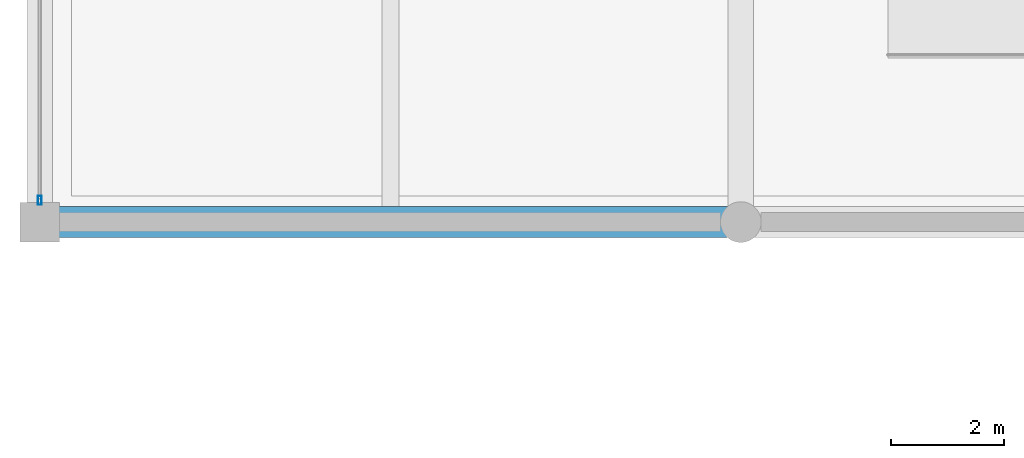
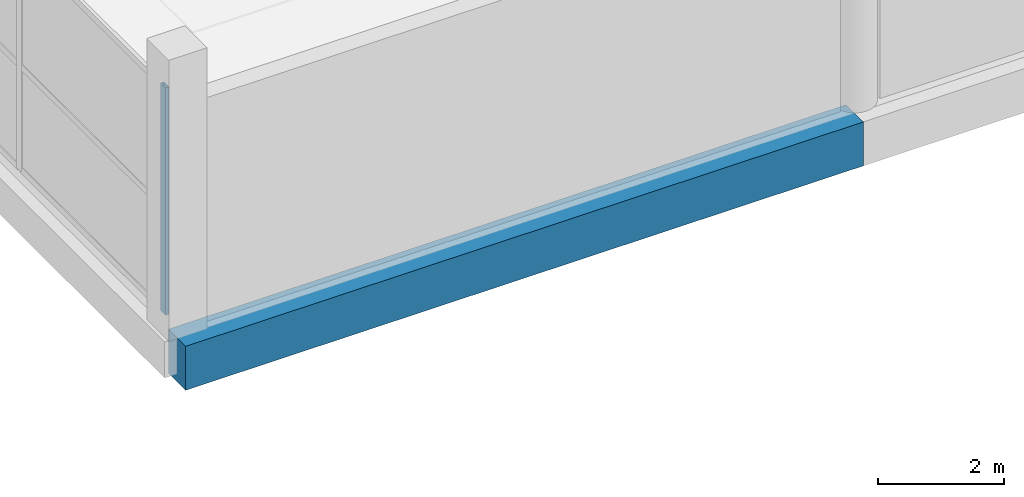
# One storey, part 14 of 74: 1 beam, 1 member, 1 element without a shape of its own.
"""IFC4 building model written with IfcOpenShell, lengths in metres."""

from ifc_helpers import new_model, si_unit, direction, frame, origin, origin_2d, place, context, subcontext, project, spatial, rectangle, hollow_rectangle, extrude, material, layer, layer_set, material_profile, profile_set, type_object, element, aggregate, save


model = new_model("IFC4")

# Units and contexts
model_context = context("Model", 3, precision=1e-05, world=origin(), true_north=direction((0.0, 1.0)))
body_context = subcontext(model_context, "Body", "Model", "MODEL_VIEW")
ifc_project = project(units=[si_unit("LENGTHUNIT", "METRE"), si_unit("AREAUNIT", "SQUARE_METRE"), si_unit("VOLUMEUNIT", "CUBIC_METRE"), si_unit("PLANEANGLEUNIT", "RADIAN"), si_unit("MASSUNIT", "GRAM", prefix="KILO")], contexts=[model_context])

# Site, building, storey
site_placement = place(None, origin())
site = spatial("IfcSite", under=ifc_project, at=site_placement, CompositionType="ELEMENT")
building_placement = place(site_placement, origin())
building = spatial("IfcBuilding", under=site, at=building_placement, Name="Sillaruma Civic Art Gallery", CompositionType="ELEMENT")
storey_placement = place(building_placement, frame((0.0, 0.0, 5.43994140625)))
storey = spatial("IfcBuildingStorey", under=building, at=storey_placement, Name="L01", CompositionType="ELEMENT", Elevation=5.43994140625)

# Beam
ifc_material_1 = material(Name="Concrete H40 (40 MPa)", Category="concrete")
ifc_material_profile_1 = material_profile(ifc_material_1, rectangle(XDim=0.550048828125, YDim=0.85009765625, at=origin_2d()), Name="RCB550x850")
ifc_profile_set_1 = profile_set([ifc_material_profile_1], Name="Concrete H40 (40 MPa)")
beam_type = type_object("IfcBeamType", Name="BM-BEAM-RCB550x850", PredefinedType="BEAM", material=ifc_profile_set_1)
beam_placement = place(storey_placement, frame((0.0, 79.199951171875, -0.68505859375), z_axis=(1.0, 0.0, 0.0), x_axis=(0.0, 1.0, 0.0)))
element("IfcBeam", 1, at=beam_placement, inside=storey, type_object=beam_type, Name="Beam BM-01 (L00:9:A-B)", PredefinedType="BEAM", context=body_context, shape_type="SweptSolid", body=[
    extrude(rectangle(XDim=0.550048828125, YDim=0.85009765625, at=origin_2d()), origin(), (0.0, 0.0, 1.0), 12.39990234375),
])

# Curtain wall, member
ifc_material_2 = material(Name="Thermally Broken Extruded Aluminium 6063-T6", Category="aluminium")
ifc_layer = layer(ifc_material_2, 0.159912109375, Name="Thermally Broken Extruded Aluminium 6063-T6")
ifc_layer_set = layer_set([ifc_layer], Name="Thermally Broken Extruded Aluminium 6063-T6")
curtain_wall_type = type_object("IfcCurtainWallType", Name="CW-UNI-07", PredefinedType="NOTDEFINED", material=ifc_layer_set)
curtain_wall_placement = place(storey_placement, origin())
curtain_wall = element("IfcCurtainWall", 2, at=curtain_wall_placement, inside=storey, type_object=curtain_wall_type, Name="Unitised Curtain Wall CW-07 (CW-L01-WSTR-1)", PredefinedType="NOTDEFINED")
ifc_material_profile_2 = material_profile(ifc_material_2, hollow_rectangle(XDim=0.06494140625, YDim=0.159912109375, WallThickness=0.00390625, at=origin_2d()), Name="CWM65x160")
ifc_profile_set_2 = profile_set([ifc_material_profile_2], Name="Thermally Broken Extruded Aluminium 6063-T6")
member_type = type_object("IfcMemberType", Name="MEM-MUL-CWM65x160", PredefinedType="MULLION", material=ifc_profile_set_2)
member_placement = place(storey_placement, frame((0.0, 79.58251953125, 0.0), z_axis=(0.0, 0.0, 1.0), x_axis=(-1.0, 0.0, 0.0)))
member = element("IfcMember", 3, at=member_placement, type_object=member_type, Name="CW-07 mullion 1", PredefinedType="MULLION", context=body_context, shape_type="SweptSolid", body=[
    extrude(hollow_rectangle(XDim=0.06494140625, YDim=0.159912109375, WallThickness=0.00390625, at=origin_2d()), origin(), (0.0, 0.0, 1.0), 4.400146484375),
])
aggregate(curtain_wall, [member])

save(model, "model.ifc")
